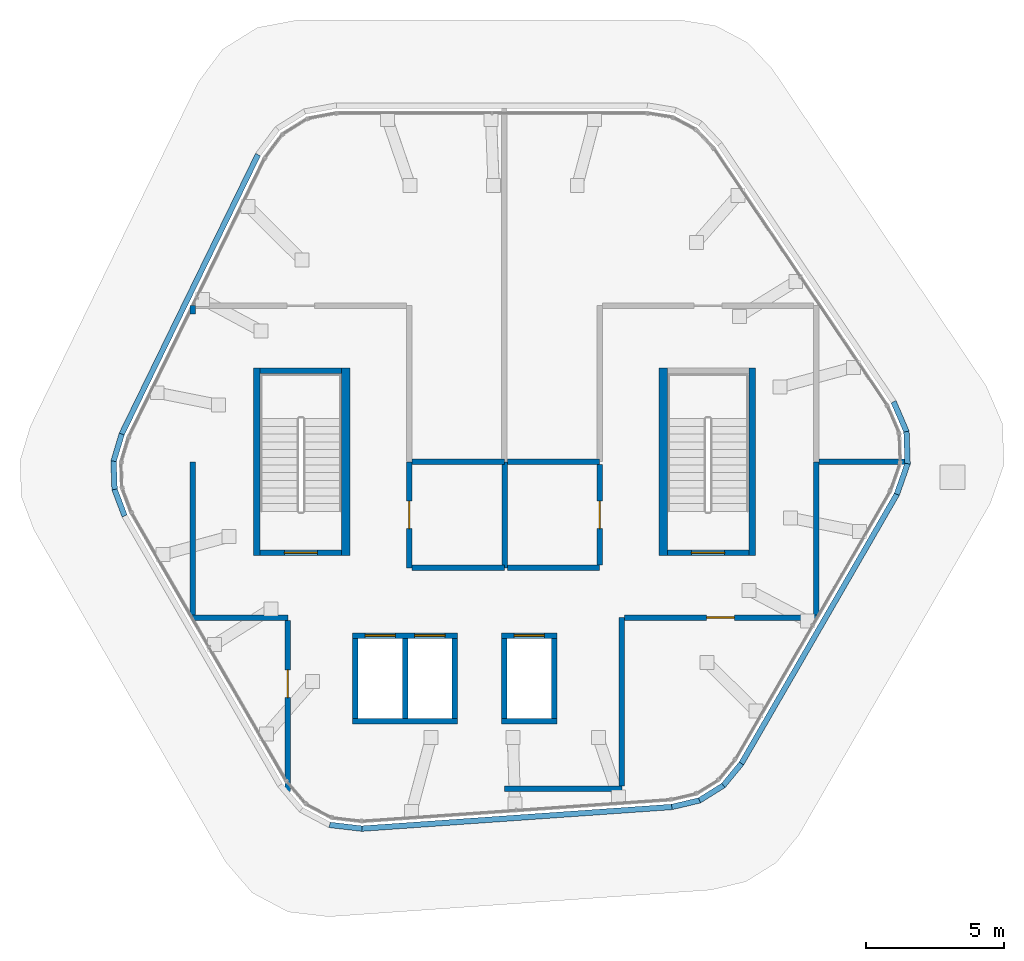
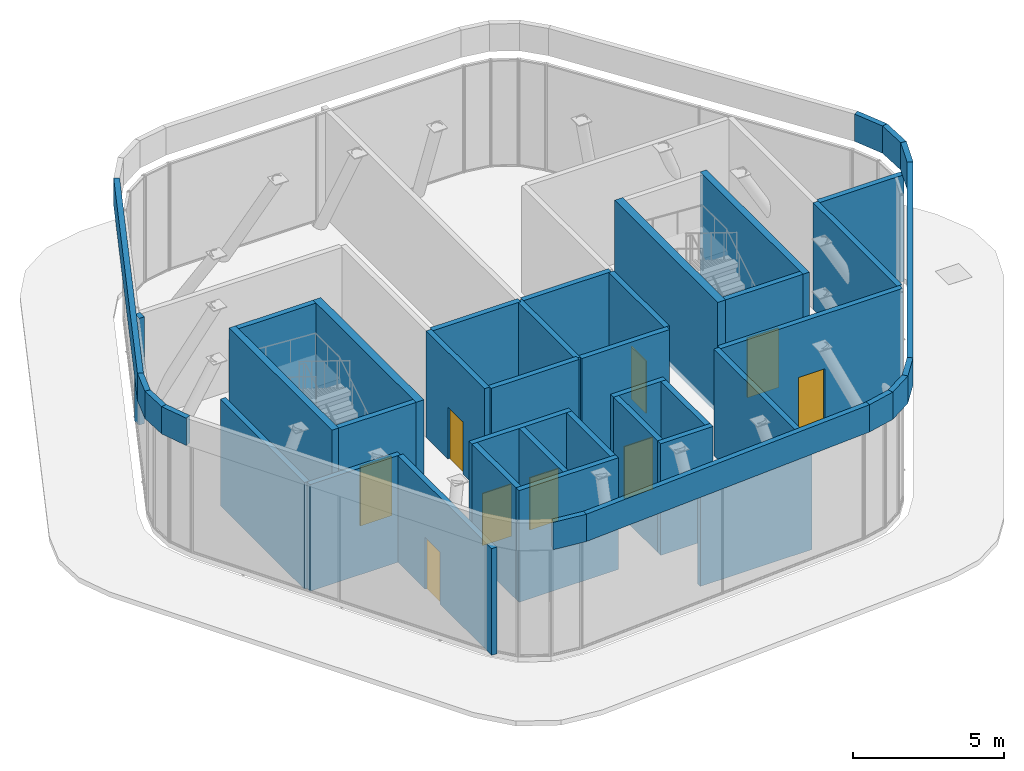
# One storey, part 7 of 9: 45 walls, 9 doors, 9 openings.
"""IFC4 building model written with IfcOpenShell, lengths in metres."""

from ifc_helpers import new_model, si_unit, direction, frame, frame_2d, origin, place, context, subcontext, project, spatial, polyline, rectangle, outline, extrude, material, layer, layer_set, type_object, element, fill, save


model = new_model("IFC4")

# Units and contexts
model_context = context("Model", 3, precision=1e-05, world=origin(), true_north=direction((0.0, 1.0)))
body_context = subcontext(model_context, "Body", "Model", "MODEL_VIEW")
ifc_project = project(units=[si_unit("LENGTHUNIT", "METRE"), si_unit("AREAUNIT", "SQUARE_METRE"), si_unit("VOLUMEUNIT", "CUBIC_METRE"), si_unit("PLANEANGLEUNIT", "RADIAN"), si_unit("MASSUNIT", "GRAM", prefix="KILO")], contexts=[model_context])

# Site, building, storey
site_placement = place(None, origin())
site = spatial("IfcSite", under=ifc_project, at=site_placement, CompositionType="ELEMENT")
building_placement = place(site_placement, origin())
building = spatial("IfcBuilding", under=site, at=building_placement, Name="Tarnside Tower", CompositionType="ELEMENT")
storey_placement = place(building_placement, frame((0.0, 0.0, 401.699951171875)))
storey = spatial("IfcBuildingStorey", under=building, at=storey_placement, Name="L95", CompositionType="ELEMENT", Elevation=401.699951171875)

# Wall, openings, doors
ifc_material_1 = material(Name="Concrete C40/50", Category="concrete")
ifc_layer_1 = layer(ifc_material_1, 0.199951171875)
ifc_layer_set_1 = layer_set([ifc_layer_1], Name="Lift shaft wall 200 C40/50")
wall_type_1 = type_object("IfcWallType", Name="Lift shaft wall 200 C40/50", PredefinedType="SHEAR", material=ifc_layer_set_1)
wall_1_placement = place(storey_placement, frame((-5.5, -6.300048828125, -0.199951171875), z_axis=(0.0, 0.0, 1.0), x_axis=(1.0, 0.0, 0.0)))
wall_1 = element("IfcWall", 1, at=wall_1_placement, inside=storey, type_object=wall_type_1, Name="L95 lift shaft front wall R4", PredefinedType="SHEAR", context=body_context, shape_type="SweptSolid", body=[
    extrude(rectangle(XDim=3.800048828125, YDim=0.199951171875, at=frame_2d((1.89990234375, 0.0))), origin(), (0.0, 0.0, 1.0), 4.5),
])
opening_1_placement = place(wall_1_placement, frame((0.449951171875, 0.0, 0.199951171875)))
opening_1 = element("IfcOpeningElement", 2, at=opening_1_placement, cuts=wall_1, Name="Opening LDF", PredefinedType="OPENING", context=body_context, shape_type="SweptSolid", body=[
    extrude(rectangle(XDim=1.10009765625, YDim=2.10009765625, at=frame_2d((0.550048828125, 1.050048828125))), frame((0.0, 0.10986328125, 0.0), z_axis=(0.0, -1.0, 0.0), x_axis=(1.0, 0.0, 0.0)), (0.0, 0.0, 1.0), 0.219970703125),
])
opening_2_placement = place(wall_1_placement, frame((2.25, 0.0, 0.199951171875)))
opening_2 = element("IfcOpeningElement", 3, at=opening_2_placement, cuts=wall_1, Name="Opening LDF", PredefinedType="OPENING", context=body_context, shape_type="SweptSolid", body=[
    extrude(rectangle(XDim=1.10009765625, YDim=2.10009765625, at=frame_2d((0.550048828125, 1.050048828125))), frame((0.0, 0.10986328125, 0.0), z_axis=(0.0, -1.0, 0.0), x_axis=(1.0, 0.0, 0.0)), (0.0, 0.0, 1.0), 0.219970703125),
])
ifc_material_2 = material(Name="Stainless steel", Category="steel")
door_type_1 = type_object("IfcDoorType", Name="Lift landing door 1100x2100 EI 120", OperationType="NOTDEFINED", PredefinedType="DOOR", material=ifc_material_2)
door_1_placement = place(opening_1_placement, origin())
door_1 = element("IfcDoor", 4, at=door_1_placement, inside=storey, type_object=door_type_1, Name="Firefighting lift 1 landing door L95", OperationType="SLIDING_TO_LEFT", OverallHeight=2.10009765625, OverallWidth=1.10009765625, PredefinedType="DOOR", context=body_context, shape_type="SweptSolid", body=[
    extrude(rectangle(XDim=1.10009765625, YDim=2.10009765625, at=frame_2d((0.550048828125, 1.050048828125))), frame((0.0, 0.02490234375, 0.0), z_axis=(0.0, -1.0, 0.0), x_axis=(1.0, 0.0, 0.0)), (0.0, 0.0, 1.0), 0.050048828125),
])
fill(opening_1, door_1)
door_2_placement = place(opening_2_placement, origin())
door_2 = element("IfcDoor", 5, at=door_2_placement, inside=storey, type_object=door_type_1, Name="Firefighting lift 2 landing door L95", OperationType="SLIDING_TO_LEFT", OverallHeight=2.10009765625, OverallWidth=1.10009765625, PredefinedType="DOOR", context=body_context, shape_type="SweptSolid", body=[
    extrude(rectangle(XDim=1.10009765625, YDim=2.10009765625, at=frame_2d((0.550048828125, 1.050048828125))), frame((0.0, 0.02490234375, 0.0), z_axis=(0.0, -1.0, 0.0), x_axis=(1.0, 0.0, 0.0)), (0.0, 0.0, 1.0), 0.050048828125),
])
fill(opening_2, door_2)

# Walls
wall_2_placement = place(storey_placement, frame((-5.5, -9.39990234375, -0.199951171875), z_axis=(0.0, 0.0, 1.0), x_axis=(1.0, 0.0, 0.0)))
element("IfcWall", 6, at=wall_2_placement, inside=storey, type_object=wall_type_1, Name="L95 lift shaft back wall R4", PredefinedType="SHEAR", context=body_context, shape_type="SweptSolid", body=[
    extrude(rectangle(XDim=3.800048828125, YDim=0.199951171875, at=frame_2d((1.89990234375, 0.0))), origin(), (0.0, 0.0, 1.0), 4.5),
])
for number, where, z_axis, x_axis, name in (
    (7, (-5.39990234375, -9.300048828125, -0.199951171875), (0.0, 0.0, 1.0), (0.0, 1.0, 0.0), "L95 lift shaft partition R41"),
    (8, (-3.60009765625, -9.300048828125, -0.199951171875), (0.0, 0.0, 1.0), (0.0, 1.0, 0.0), "L95 lift shaft partition R42"),
    (9, (-1.800048828125, -9.300048828125, -0.199951171875), (0.0, 0.0, 1.0), (0.0, 1.0, 0.0), "L95 lift shaft partition R43"),
):
    element("IfcWall", number, at=place(storey_placement, frame(where, z_axis=z_axis, x_axis=x_axis)), inside=storey, type_object=wall_type_1, Name=name, PredefinedType="SHEAR", context=body_context, shape_type="SweptSolid", body=[
        extrude(rectangle(XDim=2.900146484375, YDim=0.199951171875, at=frame_2d((1.4501953125, 0.0))), origin(), (0.0, 0.0, 1.0), 4.5),
    ])

# Wall, opening, door
wall_3_placement = place(storey_placement, frame((-0.10009765625, -6.300048828125, -0.199951171875), z_axis=(0.0, 0.0, 1.0), x_axis=(1.0, 0.0, 0.0)))
wall_3 = element("IfcWall", 10, at=wall_3_placement, inside=storey, type_object=wall_type_1, Name="L95 lift shaft front wall R41", PredefinedType="SHEAR", context=body_context, shape_type="SweptSolid", body=[
    extrude(rectangle(XDim=2.0, YDim=0.199951171875, at=frame_2d((1.0, 0.0))), origin(), (0.0, 0.0, 1.0), 4.5),
])
opening_3_placement = place(wall_3_placement, frame((0.449951171875, 0.0, 0.199951171875)))
opening_3 = element("IfcOpeningElement", 11, at=opening_3_placement, cuts=wall_3, Name="Opening LDF", PredefinedType="OPENING", context=body_context, shape_type="SweptSolid", body=[
    extrude(rectangle(XDim=1.10009765625, YDim=2.10009765625, at=frame_2d((0.550048828125, 1.050048828125))), frame((0.0, 0.10986328125, 0.0), z_axis=(0.0, -1.0, 0.0), x_axis=(1.0, 0.0, 0.0)), (0.0, 0.0, 1.0), 0.219970703125),
])
door_3_placement = place(opening_3_placement, origin())
door_3 = element("IfcDoor", 12, at=door_3_placement, inside=storey, type_object=door_type_1, Name="Firefighting lift 4 landing door L95", OperationType="SLIDING_TO_LEFT", OverallHeight=2.10009765625, OverallWidth=1.10009765625, PredefinedType="DOOR", context=body_context, shape_type="SweptSolid", body=[
    extrude(rectangle(XDim=1.10009765625, YDim=2.10009765625, at=frame_2d((0.550048828125, 1.050048828125))), frame((0.0, 0.02490234375, 0.0), z_axis=(0.0, -1.0, 0.0), x_axis=(1.0, 0.0, 0.0)), (0.0, 0.0, 1.0), 0.050048828125),
])
fill(opening_3, door_3)

# Walls
wall_4_placement = place(storey_placement, frame((-0.10009765625, -9.39990234375, -0.199951171875), z_axis=(0.0, 0.0, 1.0), x_axis=(1.0, 0.0, 0.0)))
element("IfcWall", 13, at=wall_4_placement, inside=storey, type_object=wall_type_1, Name="L95 lift shaft back wall R41", PredefinedType="SHEAR", context=body_context, shape_type="SweptSolid", body=[
    extrude(rectangle(XDim=2.0, YDim=0.199951171875, at=frame_2d((1.0, 0.0))), origin(), (0.0, 0.0, 1.0), 4.5),
])
for number, where, z_axis, x_axis, name in (
    (14, (0.0, -9.300048828125, -0.199951171875), (0.0, 0.0, 1.0), (0.0, 1.0, 0.0), "L95 lift shaft partition R411"),
    (15, (1.800048828125, -9.300048828125, -0.199951171875), (0.0, 0.0, 1.0), (0.0, 1.0, 0.0), "L95 lift shaft partition R412"),
):
    element("IfcWall", number, at=place(storey_placement, frame(where, z_axis=z_axis, x_axis=x_axis)), inside=storey, type_object=wall_type_1, Name=name, PredefinedType="SHEAR", context=body_context, shape_type="SweptSolid", body=[
        extrude(rectangle(XDim=2.900146484375, YDim=0.199951171875, at=frame_2d((1.4501953125, 0.0))), origin(), (0.0, 0.0, 1.0), 4.5),
    ])

# Wall, opening, door
wall_5_placement = place(storey_placement, frame((5.89990234375, -3.300048828125, -0.199951171875), z_axis=(0.0, 0.0, 1.0), x_axis=(1.0, 0.0, 0.0)))
wall_5 = element("IfcWall", 16, at=wall_5_placement, inside=storey, type_object=wall_type_1, Name="L95 stair 1 enclosure cap wall s", PredefinedType="SHEAR", context=body_context, shape_type="SweptSolid", body=[
    extrude(rectangle(XDim=2.9501953125, YDim=0.199951171875, at=frame_2d((1.47509765625, 0.0))), origin(), (0.0, 0.0, 1.0), 4.5),
])
opening_4_placement = place(wall_5_placement, frame((0.875, 0.0, 0.199951171875)))
opening_4 = element("IfcOpeningElement", 17, at=opening_4_placement, cuts=wall_5, Name="Opening CD-STR", PredefinedType="OPENING", context=body_context, shape_type="SweptSolid", body=[
    extrude(rectangle(XDim=1.199951171875, YDim=2.39990234375, at=frame_2d((0.60009765625, 1.199951171875))), frame((0.0, 0.10986328125, 0.0), z_axis=(0.0, -1.0, 0.0), x_axis=(1.0, 0.0, 0.0)), (0.0, 0.0, 1.0), 0.219970703125),
])
ifc_material_3 = material(Name="Steel fire door", Category="steel")
door_type_2 = type_object("IfcDoorType", Name="Stair door FD60S 1200x2400", OperationType="NOTDEFINED", PredefinedType="DOOR", material=ifc_material_3)
door_4_placement = place(opening_4_placement, origin())
door_4 = element("IfcDoor", 18, at=door_4_placement, inside=storey, type_object=door_type_2, Name="L95 stair 1 door", OperationType="SINGLE_SWING_LEFT", OverallHeight=2.39990234375, OverallWidth=1.199951171875, PredefinedType="DOOR", context=body_context, shape_type="SweptSolid", body=[
    extrude(rectangle(XDim=1.199951171875, YDim=2.39990234375, at=frame_2d((0.60009765625, 1.199951171875))), frame((0.0, 0.02490234375, 0.0), z_axis=(0.0, -1.0, 0.0), x_axis=(1.0, 0.0, 0.0)), (0.0, 0.0, 1.0), 0.050048828125),
])
fill(opening_4, door_4)

# Wall
wall_6_placement = place(storey_placement, frame((-8.85009765625, 3.300048828125, -0.199951171875), z_axis=(0.0, 0.0, 1.0), x_axis=(1.0, 0.0, 0.0)))
element("IfcWall", 19, at=wall_6_placement, inside=storey, type_object=wall_type_1, Name="L95 stair 2 enclosure cap wall n", PredefinedType="SHEAR", context=body_context, shape_type="SweptSolid", body=[
    extrude(rectangle(XDim=2.9501953125, YDim=0.199951171875, at=frame_2d((1.47509765625, 0.0))), origin(), (0.0, 0.0, 1.0), 4.5),
])

# Wall, opening, door
wall_7_placement = place(storey_placement, frame((-8.85009765625, -3.300048828125, -0.199951171875), z_axis=(0.0, 0.0, 1.0), x_axis=(1.0, 0.0, 0.0)))
wall_7 = element("IfcWall", 20, at=wall_7_placement, inside=storey, type_object=wall_type_1, Name="L95 stair 2 enclosure cap wall s", PredefinedType="SHEAR", context=body_context, shape_type="SweptSolid", body=[
    extrude(rectangle(XDim=2.9501953125, YDim=0.199951171875, at=frame_2d((1.47509765625, 0.0))), origin(), (0.0, 0.0, 1.0), 4.5),
])
opening_5_placement = place(wall_7_placement, frame((0.875, 0.0, 0.199951171875)))
opening_5 = element("IfcOpeningElement", 21, at=opening_5_placement, cuts=wall_7, Name="Opening CD-STR", PredefinedType="OPENING", context=body_context, shape_type="SweptSolid", body=[
    extrude(rectangle(XDim=1.199951171875, YDim=2.39990234375, at=frame_2d((0.60009765625, 1.199951171875))), frame((0.0, 0.10986328125, 0.0), z_axis=(0.0, -1.0, 0.0), x_axis=(1.0, 0.0, 0.0)), (0.0, 0.0, 1.0), 0.219970703125),
])
door_5_placement = place(opening_5_placement, origin())
door_5 = element("IfcDoor", 22, at=door_5_placement, inside=storey, type_object=door_type_2, Name="L95 stair 2 door", OperationType="SINGLE_SWING_LEFT", OverallHeight=2.39990234375, OverallWidth=1.199951171875, PredefinedType="DOOR", context=body_context, shape_type="SweptSolid", body=[
    extrude(rectangle(XDim=1.199951171875, YDim=2.39990234375, at=frame_2d((0.60009765625, 1.199951171875))), frame((0.0, 0.02490234375, 0.0), z_axis=(0.0, -1.0, 0.0), x_axis=(1.0, 0.0, 0.0)), (0.0, 0.0, 1.0), 0.050048828125),
])
fill(opening_5, door_5)

# Walls
ifc_material_4 = material(Name="Concrete C35/45 precast", Category="concrete")
ifc_layer_2 = layer(ifc_material_4, 0.199951171875)
ifc_layer_set_2 = layer_set([ifc_layer_2], Name="Parapet 200 x 1100")
wall_type_2 = type_object("IfcWallType", Name="Parapet 200 x 1100", PredefinedType="PARAPET", material=ifc_layer_set_2)
wall_8_placement = place(storey_placement, frame((14.09619140625, 2.17041015625, 4.5), z_axis=(0.0, 0.0, 1.0), x_axis=(0.396049889586, -0.918228993747, 0.0)))
element("IfcWall", 23, at=wall_8_placement, inside=storey, type_object=wall_type_2, Name="Roof parapet 05", PredefinedType="PARAPET", context=body_context, shape_type="SweptSolid", body=[
    extrude(outline(polyline([(0.00927734375, -0.10009765625), (1.15625, -0.10009765625), (1.19384765625, 0.10009765625), (-0.00927734375, 0.10009765625), (0.00927734375, -0.10009765625)])), origin(), (0.0, 0.0, 1.0), 1.10009765625),
])
wall_9_placement = place(storey_placement, frame((14.5615234375, 1.091552734375, 4.5), z_axis=(0.0, 0.0, 1.0), x_axis=(0.034981720402, -0.999387952318, 0.0)))
element("IfcWall", 24, at=wall_9_placement, inside=storey, type_object=wall_type_2, Name="Roof parapet 06", PredefinedType="PARAPET", context=body_context, shape_type="SweptSolid", body=[
    extrude(outline(polyline([(0.018798828125, -0.10009765625), (1.146728515625, -0.10009765625), (1.184326171875, 0.10009765625), (-0.018798828125, 0.10009765625), (0.018798828125, -0.10009765625)])), origin(), (0.0, 0.0, 1.0), 1.10009765625),
])
wall_10_placement = place(storey_placement, frame((14.602294921875, -0.0732421875, 4.5), z_axis=(0.0, 0.0, 1.0), x_axis=(-0.331026038484, -0.94362162006, 0.0)))
element("IfcWall", 25, at=wall_10_placement, inside=storey, type_object=wall_type_2, Name="Roof parapet 07", PredefinedType="PARAPET", context=body_context, shape_type="SweptSolid", body=[
    extrude(outline(polyline([(0.018798828125, -0.10009765625), (1.16552734375, -0.10009765625), (1.18408203125, 0.10009765625), (-0.018798828125, 0.10009765625), (0.018798828125, -0.10009765625)])), origin(), (0.0, 0.0, 1.0), 1.10009765625),
])
wall_11_placement = place(storey_placement, frame((14.21337890625, -1.181884765625, 4.5), z_axis=(0.0, 0.0, 1.0), x_axis=(-0.500003376122, -0.866023454571, 0.0)))
element("IfcWall", 26, at=wall_11_placement, inside=storey, type_object=wall_type_2, Name="Roof parapet 08", PredefinedType="PARAPET", context=body_context, shape_type="SweptSolid", body=[
    extrude(outline(polyline([(0.00927734375, -0.10009765625), (11.251220703125, -0.10009765625), (11.267333984375, 0.10009765625), (-0.00927734375, 0.10009765625), (0.00927734375, -0.10009765625)])), origin(), (0.0, 0.0, 1.0), 1.10009765625),
])
wall_12_placement = place(storey_placement, frame((8.583740234375, -10.9326171875, 4.5), z_axis=(0.0, 0.0, 1.0), x_axis=(-0.63381867035, -0.773481669541, 0.0)))
element("IfcWall", 27, at=wall_12_placement, inside=storey, type_object=wall_type_2, Name="Roof parapet 09", PredefinedType="PARAPET", context=body_context, shape_type="SweptSolid", body=[
    extrude(outline(polyline([(0.008056640625, -0.10009765625), (1.01318359375, -0.10009765625), (1.0458984375, 0.10009765625), (-0.008056640625, 0.10009765625), (0.008056640625, -0.10009765625)])), origin(), (0.0, 0.0, 1.0), 1.10009765625),
])
wall_13_placement = place(storey_placement, frame((7.93115234375, -11.72900390625, 4.5), z_axis=(0.0, 0.0, 1.0), x_axis=(-0.84815942401, -0.529741060768, 0.0)))
element("IfcWall", 28, at=wall_13_placement, inside=storey, type_object=wall_type_2, Name="Roof parapet 10", PredefinedType="PARAPET", context=body_context, shape_type="SweptSolid", body=[
    extrude(outline(polyline([(0.016357421875, -0.10009765625), (1.0048828125, -0.10009765625), (1.03759765625, 0.10009765625), (-0.016357421875, 0.10009765625), (0.016357421875, -0.10009765625)])), origin(), (0.0, 0.0, 1.0), 1.10009765625),
])
wall_14_placement = place(storey_placement, frame((7.06494140625, -12.27001953125, 4.5), z_axis=(0.0, 0.0, 1.0), x_axis=(-0.973014468698, -0.230744108711, 0.0)))
element("IfcWall", 29, at=wall_14_placement, inside=storey, type_object=wall_type_2, Name="Roof parapet 11", PredefinedType="PARAPET", context=body_context, shape_type="SweptSolid", body=[
    extrude(outline(polyline([(0.016357421875, -0.10009765625), (1.021484375, -0.10009765625), (1.03759765625, 0.10009765625), (-0.016357421875, 0.10009765625), (0.016357421875, -0.10009765625)])), origin(), (0.0, 0.0, 1.0), 1.10009765625),
])
wall_15_placement = place(storey_placement, frame((6.063232421875, -12.507568359375, 4.5), z_axis=(0.0, 0.0, 1.0), x_axis=(-0.997564024583, -0.069756840932, 0.0)))
element("IfcWall", 30, at=wall_15_placement, inside=storey, type_object=wall_type_2, Name="Roof parapet 12", PredefinedType="PARAPET", context=body_context, shape_type="SweptSolid", body=[
    extrude(outline(polyline([(0.008056640625, -0.10009765625), (11.249755859375, -0.10009765625), (11.268310546875, 0.10009765625), (-0.008056640625, 0.10009765625), (0.008056640625, -0.10009765625)])), origin(), (0.0, 0.0, 1.0), 1.10009765625),
])
wall_16_placement = place(storey_placement, frame((-5.16845703125, -13.29296875, 4.5), z_axis=(0.0, 0.0, 1.0), x_axis=(-0.993231212793, 0.116154026768, 0.0)))
element("IfcWall", 31, at=wall_16_placement, inside=storey, type_object=wall_type_2, Name="Roof parapet 13", PredefinedType="PARAPET", context=body_context, shape_type="SweptSolid", body=[
    extrude(outline(polyline([(0.00927734375, -0.10009765625), (1.15625, -0.10009765625), (1.19384765625, 0.10009765625), (-0.00927734375, 0.10009765625), (0.00927734375, -0.10009765625)])), origin(), (0.0, 0.0, 1.0), 1.10009765625),
])
wall_17_placement = place(storey_placement, frame((-13.759765625, -1.967529296875, 4.5), z_axis=(0.0, 0.0, 1.0), x_axis=(-0.352837928655, 0.935684453276, 0.0)))
element("IfcWall", 32, at=wall_17_placement, inside=storey, type_object=wall_type_2, Name="Roof parapet 17", PredefinedType="PARAPET", context=body_context, shape_type="SweptSolid", body=[
    extrude(outline(polyline([(0.008056640625, -0.10009765625), (1.01318359375, -0.10009765625), (1.0458984375, 0.10009765625), (-0.008056640625, 0.10009765625), (0.008056640625, -0.10009765625)])), origin(), (0.0, 0.0, 1.0), 1.10009765625),
])
wall_18_placement = place(storey_placement, frame((-14.123046875, -1.004150390625, 4.5), z_axis=(0.0, 0.0, 1.0), x_axis=(-0.034898604471, 0.999390858176, 0.0)))
element("IfcWall", 33, at=wall_18_placement, inside=storey, type_object=wall_type_2, Name="Roof parapet 18", PredefinedType="PARAPET", context=body_context, shape_type="SweptSolid", body=[
    extrude(outline(polyline([(0.016357421875, -0.10009765625), (1.005126953125, -0.10009765625), (1.037841796875, 0.10009765625), (-0.016357421875, 0.10009765625), (0.016357421875, -0.10009765625)])), origin(), (0.0, 0.0, 1.0), 1.10009765625),
])
wall_19_placement = place(storey_placement, frame((-14.15869140625, 0.0166015625, 4.5), z_axis=(0.0, 0.0, 1.0), x_axis=(0.286695156131, 0.958021861677, 0.0)))
element("IfcWall", 34, at=wall_19_placement, inside=storey, type_object=wall_type_2, Name="Roof parapet 19", PredefinedType="PARAPET", context=body_context, shape_type="SweptSolid", body=[
    extrude(outline(polyline([(0.016357421875, -0.10009765625), (1.021484375, -0.10009765625), (1.03759765625, 0.10009765625), (-0.016357421875, 0.10009765625), (0.016357421875, -0.10009765625)])), origin(), (0.0, 0.0, 1.0), 1.10009765625),
])
wall_20_placement = place(storey_placement, frame((-13.863525390625, 1.0029296875, 4.5), z_axis=(0.0, 0.0, 1.0), x_axis=(0.438379628459, 0.898789909463, 0.0)))
element("IfcWall", 35, at=wall_20_placement, inside=storey, type_object=wall_type_2, Name="Roof parapet 20", PredefinedType="PARAPET", context=body_context, shape_type="SweptSolid", body=[
    extrude(outline(polyline([(0.008056640625, -0.10009765625), (11.25, -0.10009765625), (11.2685546875, 0.10009765625), (-0.008056640625, 0.10009765625), (0.008056640625, -0.10009765625)])), origin(), (0.0, 0.0, 1.0), 1.10009765625),
])
ifc_layer_3 = layer(ifc_material_1, 0.25)
ifc_layer_set_3 = layer_set([ifc_layer_3], Name="Stair enclosure wall 250 C40/50")
wall_type_3 = type_object("IfcWallType", Name="Stair enclosure wall 250 C40/50", PredefinedType="SHEAR", material=ifc_layer_set_3)
for number, where, z_axis, x_axis, name in (
    (36, (8.97509765625, -3.39990234375, -0.199951171875), (0.0, 0.0, 1.0), (0.0, 1.0, 0.0), "L95 stair 1 enclosure wall outer"),
    (37, (-8.97509765625, -3.39990234375, -0.199951171875), (0.0, 0.0, 1.0), (0.0, 1.0, 0.0), "L95 stair 2 enclosure wall outer"),
):
    element("IfcWall", number, at=place(storey_placement, frame(where, z_axis=z_axis, x_axis=x_axis)), inside=storey, type_object=wall_type_3, Name=name, PredefinedType="SHEAR", context=body_context, shape_type="SweptSolid", body=[
        extrude(rectangle(XDim=6.7998046875, YDim=0.25, at=frame_2d((3.39990234375, 0.0))), origin(), (0.0, 0.0, 1.0), 4.5),
    ])
ifc_layer_4 = layer(ifc_material_1, 0.300048828125)
ifc_layer_set_4 = layer_set([ifc_layer_4], Name="Stair enclosure wall 300 C40/50")
wall_type_4 = type_object("IfcWallType", Name="Stair enclosure wall 300 C40/50", PredefinedType="SHEAR", material=ifc_layer_set_4)
for number, where, z_axis, x_axis, name in (
    (38, (5.75, -3.39990234375, -0.199951171875), (0.0, 0.0, 1.0), (0.0, 1.0, 0.0), "L95 stair 1 enclosure wall inner"),
    (39, (-5.75, -3.39990234375, -0.199951171875), (0.0, 0.0, 1.0), (0.0, 1.0, 0.0), "L95 stair 2 enclosure wall inner"),
):
    element("IfcWall", number, at=place(storey_placement, frame(where, z_axis=z_axis, x_axis=x_axis)), inside=storey, type_object=wall_type_4, Name=name, PredefinedType="SHEAR", context=body_context, shape_type="SweptSolid", body=[
        extrude(rectangle(XDim=6.7998046875, YDim=0.300048828125, at=frame_2d((3.39990234375, 0.0))), origin(), (0.0, 0.0, 1.0), 4.5),
    ])
ifc_material_5 = material(Name="Concrete C32/40", Category="concrete")
ifc_layer_5 = layer(ifc_material_5, 0.199951171875)
ifc_layer_set_5 = layer_set([ifc_layer_5], Name="Wall 200 reinforced Concrete C32/40")
wall_type_5 = type_object("IfcWallType", Name="Wall 200 reinforced Concrete C32/40", PredefinedType="PARTITIONING", material=ifc_layer_set_5)
wall_21_placement = place(storey_placement, frame((-11.300048828125, -5.64990234375, 0.0), z_axis=(0.0, 0.0, 1.0), x_axis=(1.0, 0.0, 0.0)))
element("IfcWall", 40, at=wall_21_placement, inside=storey, type_object=wall_type_5, Name="Partition 000", PredefinedType="PARTITIONING", context=body_context, shape_type="SweptSolid", body=[
    extrude(rectangle(XDim=3.449951171875, YDim=0.199951171875, at=frame_2d((1.72509765625, 0.0))), origin(), (0.0, 0.0, 1.0), 4.300048828125),
])
wall_22_placement = place(storey_placement, frame((-11.300048828125, -0.0029296875, 0.0), z_axis=(0.0, 0.0, 1.0), x_axis=(0.0, -1.0, 0.0)))
element("IfcWall", 41, at=wall_22_placement, inside=storey, type_object=wall_type_5, Name="Partition 001", PredefinedType="PARTITIONING", context=body_context, shape_type="SweptSolid", body=[
    extrude(rectangle(XDim=5.547119140625, YDim=0.199951171875, at=frame_2d((2.7734375, 0.0))), origin(), (0.0, 0.0, 1.0), 4.300048828125),
])
wall_23_placement = place(storey_placement, frame((-11.300048828125, 5.64990234375, 0.0), z_axis=(0.0, 0.0, 1.0), x_axis=(0.0, -1.0, 0.0)))
element("IfcWall", 42, at=wall_23_placement, inside=storey, type_object=wall_type_5, Name="Partition 002", PredefinedType="PARTITIONING", context=body_context, shape_type="SweptSolid", body=[
    extrude(rectangle(XDim=0.2998046875, YDim=0.199951171875, at=frame_2d((0.14990234375, 0.0))), origin(), (0.0, 0.0, 1.0), 4.300048828125),
])

# Wall, opening, door
wall_24_placement = place(storey_placement, frame((-7.85009765625, -11.94091796875, 0.0), z_axis=(0.0, 0.0, 1.0), x_axis=(0.0, 1.0, 0.0)))
wall_24 = element("IfcWall", 43, at=wall_24_placement, inside=storey, type_object=wall_type_5, Name="Partition 003", PredefinedType="PARTITIONING", context=body_context, shape_type="SweptSolid", body=[
    extrude(rectangle(XDim=6.19091796875, YDim=0.199951171875, at=frame_2d((3.095458984375, 0.0))), origin(), (0.0, 0.0, 1.0), 4.300048828125),
])
opening_6_placement = place(wall_24_placement, frame((3.3955078125, 0.0, 0.0)))
opening_6 = element("IfcOpeningElement", 44, at=opening_6_placement, cuts=wall_24, Name="Opening D1000F60", PredefinedType="OPENING", context=body_context, shape_type="SweptSolid", body=[
    extrude(rectangle(XDim=1.0, YDim=2.10009765625, at=frame_2d((0.5, 1.050048828125))), frame((0.0, 0.10986328125, 0.0), z_axis=(0.0, -1.0, 0.0), x_axis=(1.0, 0.0, 0.0)), (0.0, 0.0, 1.0), 0.219970703125),
])
ifc_material_6 = material(Name="Timber door leaf", Category="wood")
door_type_3 = type_object("IfcDoorType", Name="Door 1000 x 2100 single leaf FD60 fire door", OperationType="NOTDEFINED", PredefinedType="DOOR", material=ifc_material_6)
door_6_placement = place(opening_6_placement, origin())
door_6 = element("IfcDoor", 45, at=door_6_placement, inside=storey, type_object=door_type_3, Name="Door L95-01", OperationType="SINGLE_SWING_RIGHT", OverallHeight=2.10009765625, OverallWidth=1.0, PredefinedType="DOOR", context=body_context, shape_type="SweptSolid", body=[
    extrude(rectangle(XDim=1.0, YDim=2.10009765625, at=frame_2d((0.5, 1.050048828125))), frame((0.0, 0.02490234375, 0.0), z_axis=(0.0, -1.0, 0.0), x_axis=(1.0, 0.0, 0.0)), (0.0, 0.0, 1.0), 0.050048828125),
])
fill(opening_6, door_6)

wall_25_placement = place(storey_placement, frame((-3.449951171875, -0.0029296875, 0.0), z_axis=(0.0, 0.0, 1.0), x_axis=(0.0, -1.0, 0.0)))
wall_25 = element("IfcWall", 46, at=wall_25_placement, inside=storey, type_object=wall_type_5, Name="Partition 004", PredefinedType="PARTITIONING", context=body_context, shape_type="SweptSolid", body=[
    extrude(rectangle(XDim=3.84716796875, YDim=0.199951171875, at=frame_2d((1.923583984375, 0.0))), origin(), (0.0, 0.0, 1.0), 4.300048828125),
])
opening_7_placement = place(wall_25_placement, frame((1.423583984375, 0.0, 0.0)))
opening_7 = element("IfcOpeningElement", 47, at=opening_7_placement, cuts=wall_25, Name="Opening D1000F60", PredefinedType="OPENING", context=body_context, shape_type="SweptSolid", body=[
    extrude(rectangle(XDim=1.0, YDim=2.10009765625, at=frame_2d((0.5, 1.050048828125))), frame((0.0, 0.10986328125, 0.0), z_axis=(0.0, -1.0, 0.0), x_axis=(1.0, 0.0, 0.0)), (0.0, 0.0, 1.0), 0.219970703125),
])
door_7_placement = place(opening_7_placement, origin())
door_7 = element("IfcDoor", 48, at=door_7_placement, inside=storey, type_object=door_type_3, Name="Door L95-02", OperationType="SINGLE_SWING_LEFT", OverallHeight=2.10009765625, OverallWidth=1.0, PredefinedType="DOOR", context=body_context, shape_type="SweptSolid", body=[
    extrude(rectangle(XDim=1.0, YDim=2.10009765625, at=frame_2d((0.5, 1.050048828125))), frame((0.0, 0.02490234375, 0.0), z_axis=(0.0, -1.0, 0.0), x_axis=(1.0, 0.0, 0.0)), (0.0, 0.0, 1.0), 0.050048828125),
])
fill(opening_7, door_7)

# Walls
for number, where, z_axis, x_axis, name in (
    (49, (-3.35009765625, -0.0029296875, 0.0), (0.0, 0.0, 1.0), (1.0, 0.0, 0.0), "Partition 005"),
    (50, (-0.0029296875, -3.85009765625, 0.0), (0.0, 0.0, 1.0), (-1.0, 0.0, 0.0), "Partition 008"),
):
    element("IfcWall", number, at=place(storey_placement, frame(where, z_axis=z_axis, x_axis=x_axis)), inside=storey, type_object=wall_type_5, Name=name, PredefinedType="PARTITIONING", context=body_context, shape_type="SweptSolid", body=[
        extrude(rectangle(XDim=3.34716796875, YDim=0.199951171875, at=frame_2d((1.673583984375, 0.0))), origin(), (0.0, 0.0, 1.0), 4.300048828125),
    ])
wall_26_placement = place(storey_placement, frame((0.0029296875, -11.85009765625, 0.0), z_axis=(0.0, 0.0, 1.0), x_axis=(1.0, 0.0, 0.0)))
element("IfcWall", 51, at=wall_26_placement, inside=storey, type_object=wall_type_5, Name="Partition 010", PredefinedType="PARTITIONING", context=body_context, shape_type="SweptSolid", body=[
    extrude(rectangle(XDim=4.2470703125, YDim=0.199951171875, at=frame_2d((2.12353515625, 0.0))), origin(), (0.0, 0.0, 1.0), 4.300048828125),
])
wall_27_placement = place(storey_placement, frame((0.0029296875, -3.85009765625, 0.0), z_axis=(0.0, 0.0, 1.0), x_axis=(0.0, 1.0, 0.0)))
element("IfcWall", 52, at=wall_27_placement, inside=storey, type_object=wall_type_5, Name="Partition 011", PredefinedType="PARTITIONING", context=body_context, shape_type="SweptSolid", body=[
    extrude(rectangle(XDim=3.84716796875, YDim=0.199951171875, at=frame_2d((1.923583984375, 0.0))), origin(), (0.0, 0.0, 1.0), 4.300048828125),
])
for number, where, z_axis, x_axis, name in (
    (53, (0.10302734375, -0.0029296875, 0.0), (0.0, 0.0, 1.0), (1.0, 0.0, 0.0), "Partition 012"),
    (54, (3.449951171875, -3.85009765625, 0.0), (0.0, 0.0, 1.0), (-1.0, 0.0, 0.0), "Partition 013"),
):
    element("IfcWall", number, at=place(storey_placement, frame(where, z_axis=z_axis, x_axis=x_axis)), inside=storey, type_object=wall_type_5, Name=name, PredefinedType="PARTITIONING", context=body_context, shape_type="SweptSolid", body=[
        extrude(rectangle(XDim=3.346923828125, YDim=0.199951171875, at=frame_2d((1.67333984375, 0.0))), origin(), (0.0, 0.0, 1.0), 4.300048828125),
    ])

# Wall, opening, door
wall_28_placement = place(storey_placement, frame((3.449951171875, -3.75, 0.0), z_axis=(0.0, 0.0, 1.0), x_axis=(0.0, 1.0, 0.0)))
wall_28 = element("IfcWall", 55, at=wall_28_placement, inside=storey, type_object=wall_type_5, Name="Partition 014", PredefinedType="PARTITIONING", context=body_context, shape_type="SweptSolid", body=[
    extrude(rectangle(XDim=3.64697265625, YDim=0.199951171875, at=frame_2d((1.823486328125, 0.0))), origin(), (0.0, 0.0, 1.0), 4.300048828125),
])
opening_8_placement = place(wall_28_placement, frame((1.323486328125, 0.0, 0.0)))
opening_8 = element("IfcOpeningElement", 56, at=opening_8_placement, cuts=wall_28, Name="Opening D1000F60", PredefinedType="OPENING", context=body_context, shape_type="SweptSolid", body=[
    extrude(rectangle(XDim=1.0, YDim=2.10009765625, at=frame_2d((0.5, 1.050048828125))), frame((0.0, 0.10986328125, 0.0), z_axis=(0.0, -1.0, 0.0), x_axis=(1.0, 0.0, 0.0)), (0.0, 0.0, 1.0), 0.219970703125),
])
door_8_placement = place(opening_8_placement, origin())
door_8 = element("IfcDoor", 57, at=door_8_placement, inside=storey, type_object=door_type_3, Name="Door L95-04", OperationType="SINGLE_SWING_LEFT", OverallHeight=2.10009765625, OverallWidth=1.0, PredefinedType="DOOR", context=body_context, shape_type="SweptSolid", body=[
    extrude(rectangle(XDim=1.0, YDim=2.10009765625, at=frame_2d((0.5, 1.050048828125))), frame((0.0, 0.02490234375, 0.0), z_axis=(0.0, -1.0, 0.0), x_axis=(1.0, 0.0, 0.0)), (0.0, 0.0, 1.0), 0.050048828125),
])
fill(opening_8, door_8)

# Wall
wall_29_placement = place(storey_placement, frame((4.25, -11.75, 0.0), z_axis=(0.0, 0.0, 1.0), x_axis=(0.0, 1.0, 0.0)))
element("IfcWall", 58, at=wall_29_placement, inside=storey, type_object=wall_type_5, Name="Partition 016", PredefinedType="PARTITIONING", context=body_context, shape_type="SweptSolid", body=[
    extrude(rectangle(XDim=6.10009765625, YDim=0.199951171875, at=frame_2d((3.050048828125, 0.0))), origin(), (0.0, 0.0, 1.0), 4.300048828125),
])

# Wall, opening, door
wall_30_placement = place(storey_placement, frame((11.300048828125, -5.64990234375, 0.0), z_axis=(0.0, 0.0, 1.0), x_axis=(-1.0, 0.0, 0.0)))
wall_30 = element("IfcWall", 59, at=wall_30_placement, inside=storey, type_object=wall_type_5, Name="Partition 017", PredefinedType="PARTITIONING", context=body_context, shape_type="SweptSolid", body=[
    extrude(rectangle(XDim=6.949951171875, YDim=0.199951171875, at=frame_2d((3.47509765625, 0.0))), origin(), (0.0, 0.0, 1.0), 4.300048828125),
])
opening_9_placement = place(wall_30_placement, frame((2.97509765625, 0.0, 0.0)))
opening_9 = element("IfcOpeningElement", 60, at=opening_9_placement, cuts=wall_30, Name="Opening D1000F60", PredefinedType="OPENING", context=body_context, shape_type="SweptSolid", body=[
    extrude(rectangle(XDim=1.0, YDim=2.10009765625, at=frame_2d((0.5, 1.050048828125))), frame((0.0, 0.10986328125, 0.0), z_axis=(0.0, -1.0, 0.0), x_axis=(1.0, 0.0, 0.0)), (0.0, 0.0, 1.0), 0.219970703125),
])
door_9_placement = place(opening_9_placement, origin())
door_9 = element("IfcDoor", 61, at=door_9_placement, inside=storey, type_object=door_type_3, Name="Door L95-05", OperationType="SINGLE_SWING_RIGHT", OverallHeight=2.10009765625, OverallWidth=1.0, PredefinedType="DOOR", context=body_context, shape_type="SweptSolid", body=[
    extrude(rectangle(XDim=1.0, YDim=2.10009765625, at=frame_2d((0.5, 1.050048828125))), frame((0.0, 0.02490234375, 0.0), z_axis=(0.0, -1.0, 0.0), x_axis=(1.0, 0.0, 0.0)), (0.0, 0.0, 1.0), 0.050048828125),
])
fill(opening_9, door_9)

# Walls
wall_31_placement = place(storey_placement, frame((11.300048828125, -5.550048828125, 0.0), z_axis=(0.0, 0.0, 1.0), x_axis=(0.0, 1.0, 0.0)))
element("IfcWall", 62, at=wall_31_placement, inside=storey, type_object=wall_type_5, Name="Partition 018", PredefinedType="PARTITIONING", context=body_context, shape_type="SweptSolid", body=[
    extrude(rectangle(XDim=5.547119140625, YDim=0.199951171875, at=frame_2d((2.7734375, 0.0))), origin(), (0.0, 0.0, 1.0), 4.300048828125),
])
wall_32_placement = place(storey_placement, frame((11.39990234375, -0.0029296875, 0.0), z_axis=(0.0, 0.0, 1.0), x_axis=(1.0, 0.0, 0.0)))
element("IfcWall", 63, at=wall_32_placement, inside=storey, type_object=wall_type_5, Name="Partition 019", PredefinedType="PARTITIONING", context=body_context, shape_type="SweptSolid", body=[
    extrude(rectangle(XDim=3.203125, YDim=0.199951171875, at=frame_2d((1.6015625, 0.0))), origin(), (0.0, 0.0, 1.0), 4.300048828125),
])

save(model, "model.ifc")
